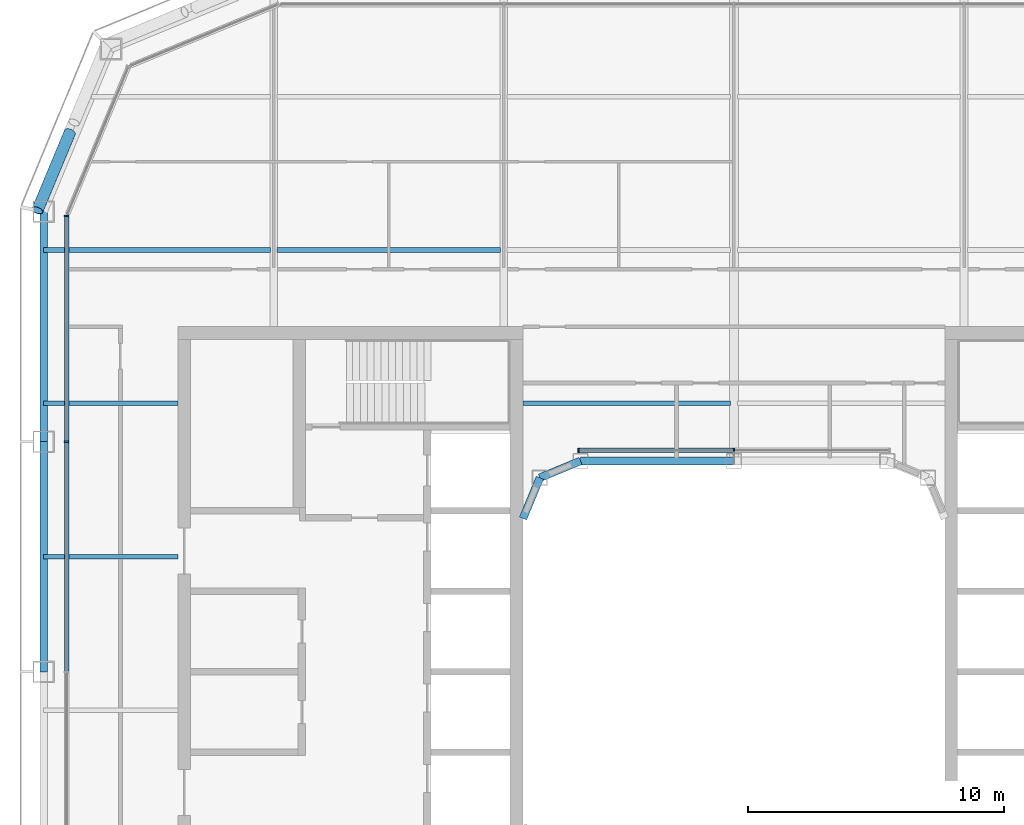
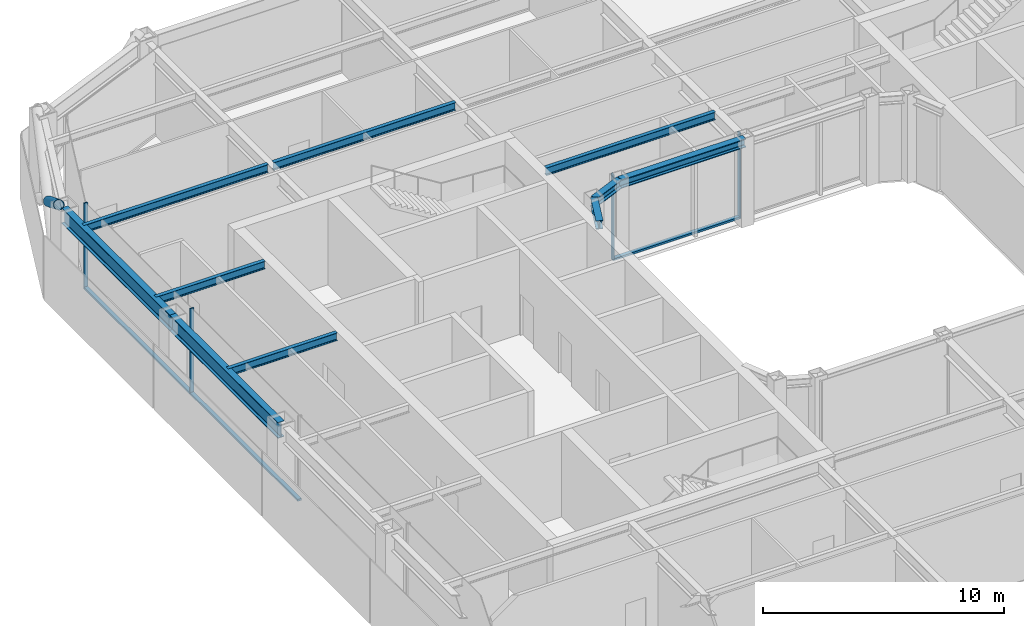
# One storey, part 6 of 23: 10 beams, 8 members, 2 elements without a shape of their own.
"""IFC4 building model written with IfcOpenShell, lengths in metres."""

from ifc_helpers import new_model, si_unit, direction, frame, origin, origin_2d, place, context, subcontext, project, spatial, rectangle, hollow_circle, i_section, extrude, material, layer, layer_set, material_profile, profile_set, type_object, element, aggregate, save


model = new_model("IFC4")

# Units and contexts
model_context = context("Model", 3, precision=1e-05, world=origin(), true_north=direction((0.0, 1.0)))
body_context = subcontext(model_context, "Body", "Model", "MODEL_VIEW")
ifc_project = project(units=[si_unit("LENGTHUNIT", "METRE"), si_unit("AREAUNIT", "SQUARE_METRE"), si_unit("VOLUMEUNIT", "CUBIC_METRE"), si_unit("PLANEANGLEUNIT", "RADIAN"), si_unit("MASSUNIT", "GRAM", prefix="KILO")], contexts=[model_context])

# Site, building, storey
site_placement = place(None, origin())
site = spatial("IfcSite", under=ifc_project, at=site_placement, CompositionType="ELEMENT")
building_placement = place(site_placement, origin())
building = spatial("IfcBuilding", under=site, at=building_placement, Name="Siwar Civic Tower", CompositionType="ELEMENT")
storey_placement = place(building_placement, frame((0.0, 0.0, 224.199951171875)))
storey = spatial("IfcBuildingStorey", under=building, at=storey_placement, Name="L48", CompositionType="ELEMENT", Elevation=224.199951171875)

# Curtain wall, members
ifc_material_1 = material(Name="Aluminium and glass", Category="aluminium")
ifc_layer_1 = layer(ifc_material_1, 0.179931640625)
ifc_layer_set_1 = layer_set([ifc_layer_1], Name="Aluminium and glass")
curtain_wall_type_1 = type_object("IfcCurtainWallType", Name="ENV-CW-C", PredefinedType="NOTDEFINED", material=ifc_layer_set_1)
curtain_wall_1_placement = place(storey_placement, origin())
curtain_wall_1 = element("IfcCurtainWall", 1, at=curtain_wall_1_placement, inside=storey, type_object=curtain_wall_type_1, Name="Curtain wall C W", PredefinedType="NOTDEFINED")
ifc_material_2 = material(Name="Aluminium 6063-T6", Category="aluminium")
ifc_material_profile_1 = material_profile(ifc_material_2, rectangle(XDim=0.179931640625, YDim=0.06005859375, at=origin_2d()), Name="AL 180x60")
ifc_profile_set_1 = profile_set([ifc_material_profile_1], Name="Aluminium 6063-T6")
member_type_1 = type_object("IfcMemberType", Name="ENV-MULLION-C", PredefinedType="MULLION", material=ifc_profile_set_1)
member_1_placement = place(storey_placement, frame((-26.10009765625, 17.821044921875, 0.0), z_axis=(0.0, 0.0, 1.0), x_axis=(1.0, 0.0, 0.0)))
member_1 = element("IfcMember", 2, at=member_1_placement, type_object=member_type_1, Name="Mullion C W 1", PredefinedType="MULLION", context=body_context, shape_type="SweptSolid", body=[
    extrude(rectangle(XDim=0.179931640625, YDim=0.06005859375, at=origin_2d()), origin(), (0.0, 0.0, 1.0), 4.35009765625),
])
member_2_placement = place(storey_placement, frame((-26.10009765625, 9.0, 0.0), z_axis=(0.0, 0.0, 1.0), x_axis=(1.0, 0.0, 0.0)))
member_2 = element("IfcMember", 3, at=member_2_placement, type_object=member_type_1, Name="Mullion C W 2", PredefinedType="MULLION", context=body_context, shape_type="SweptSolid", body=[
    extrude(rectangle(XDim=0.179931640625, YDim=0.06005859375, at=origin_2d()), origin(), (0.0, 0.0, 1.0), 4.35009765625),
])

ifc_material_3 = material(Name="Aluminium and glass", Category="aluminium")
ifc_layer_2 = layer(ifc_material_3, 0.179931640625)
ifc_layer_set_2 = layer_set([ifc_layer_2], Name="Aluminium and glass")
curtain_wall_type_2 = type_object("IfcCurtainWallType", Name="ENV-CW-W", PredefinedType="NOTDEFINED", material=ifc_layer_set_2)
curtain_wall_2_placement = place(storey_placement, origin())
curtain_wall_2 = element("IfcCurtainWall", 4, at=curtain_wall_2_placement, inside=storey, type_object=curtain_wall_type_2, Name="Curtain wall W WN", PredefinedType="NOTDEFINED")
ifc_material_4 = material(Name="Aluminium 6063-T6", Category="aluminium")
ifc_material_profile_2 = material_profile(ifc_material_4, rectangle(XDim=0.179931640625, YDim=0.06005859375, at=origin_2d()), Name="AL 180x60")
ifc_profile_set_2 = profile_set([ifc_material_profile_2], Name="Aluminium 6063-T6")
member_type_2 = type_object("IfcMemberType", Name="ENV-MULLION-W", PredefinedType="MULLION", material=ifc_profile_set_2)
member_3_placement = place(storey_placement, frame((0.0, 8.659912109375, 0.0), z_axis=(0.0, 0.0, 1.0), x_axis=(0.0, -1.0, 0.0)))
member_3 = element("IfcMember", 5, at=member_3_placement, type_object=member_type_2, Name="Mullion W WN 2", PredefinedType="MULLION", context=body_context, shape_type="SweptSolid", body=[
    extrude(rectangle(XDim=0.179931640625, YDim=0.06005859375, at=origin_2d()), origin(), (0.0, 0.0, 1.0), 4.35009765625),
])
member_4_placement = place(storey_placement, frame((-6.08154296875, 8.659912109375, 0.0), z_axis=(0.0, 0.0, 1.0), x_axis=(0.0, -1.0, 0.0)))
member_4 = element("IfcMember", 6, at=member_4_placement, type_object=member_type_2, Name="Mullion W WN 3", PredefinedType="MULLION", context=body_context, shape_type="SweptSolid", body=[
    extrude(rectangle(XDim=0.179931640625, YDim=0.06005859375, at=origin_2d()), origin(), (0.0, 0.0, 1.0), 4.35009765625),
])

# Member
ifc_material_5 = material(Name="Aluminium 6063-T6", Category="aluminium")
ifc_material_profile_3 = material_profile(ifc_material_5, rectangle(XDim=0.179931640625, YDim=0.10009765625, at=origin_2d()), Name="AL 180x100")
ifc_profile_set_3 = profile_set([ifc_material_profile_3], Name="Aluminium 6063-T6")
member_type_3 = type_object("IfcMemberType", Name="ENV-TRANSOM-C", PredefinedType="USERDEFINED", material=ifc_profile_set_3)
member_5_placement = place(storey_placement, frame((-26.10009765625, 17.791015625, 0.050048828125), z_axis=(0.0, -1.0, 0.0), x_axis=(1.0, 0.0, 0.0)))
member_5 = element("IfcMember", 7, at=member_5_placement, type_object=member_type_3, Name="Transom C W 1", ObjectType="TRANSOM", PredefinedType="USERDEFINED", context=body_context, shape_type="SweptSolid", body=[
    extrude(rectangle(XDim=0.179931640625, YDim=0.10009765625, at=origin_2d()), origin(), (0.0, 0.0, 1.0), 8.760986328125),
])

member_6_placement = place(storey_placement, frame((-26.10009765625, 8.969970703125, 0.050048828125), z_axis=(0.0, -1.0, 0.0), x_axis=(1.0, 0.0, 0.0)))
member_6 = element("IfcMember", 8, at=member_6_placement, type_object=member_type_3, Name="Transom C W 2", ObjectType="TRANSOM", PredefinedType="USERDEFINED", context=body_context, shape_type="SweptSolid", body=[
    extrude(rectangle(XDim=0.179931640625, YDim=0.10009765625, at=origin_2d()), origin(), (0.0, 0.0, 1.0), 8.93994140625),
])

aggregate(curtain_wall_1, [member_1, member_2, member_5, member_6])

ifc_material_6 = material(Name="Aluminium 6063-T6", Category="aluminium")
ifc_material_profile_4 = material_profile(ifc_material_6, rectangle(XDim=0.179931640625, YDim=0.10009765625, at=origin_2d()), Name="AL 180x100")
ifc_profile_set_4 = profile_set([ifc_material_profile_4], Name="Aluminium 6063-T6")
member_type_4 = type_object("IfcMemberType", Name="ENV-TRANSOM-W", PredefinedType="USERDEFINED", material=ifc_profile_set_4)
member_7_placement = place(storey_placement, frame((-0.030029296875, 8.659912109375, 0.050048828125), z_axis=(-1.0, 0.0, 0.0), x_axis=(0.0, -1.0, 0.0)))
member_7 = element("IfcMember", 9, at=member_7_placement, type_object=member_type_4, Name="Transom W WN 2", ObjectType="TRANSOM", PredefinedType="USERDEFINED", context=body_context, shape_type="SweptSolid", body=[
    extrude(rectangle(XDim=0.179931640625, YDim=0.10009765625, at=origin_2d()), origin(), (0.0, 0.0, 1.0), 6.021484375),
])

aggregate(curtain_wall_2, [member_3, member_4, member_7])

ifc_material_7 = material(Name="Steel S355", Category="steel")
ifc_material_profile_5 = material_profile(ifc_material_7, hollow_circle(Radius=0.228515625, WallThickness=0.02001953125, at=origin_2d()), Name="CHS457x20")
ifc_profile_set_5 = profile_set([ifc_material_profile_5], Name="Steel S355")
member_type_5 = type_object("IfcMemberType", Name="STR-BR-CHS457x20", PredefinedType="BRACE", material=ifc_profile_set_5)
member_8_placement = place(storey_placement, frame((-25.972900390625, 21.10302734375, 2.383056640625), z_axis=(-0.323895306243, -0.777572496853, 0.538955325357), x_axis=(0.92311621485, -0.38452107079, 0.0)))
element("IfcMember", 10, at=member_8_placement, inside=storey, type_object=member_type_5, Name="L48/brc/CNW1-8-0-3", PredefinedType="BRACE", context=body_context, shape_type="SweptSolid", body=[
    extrude(hollow_circle(Radius=0.228515625, WallThickness=0.02001953125, at=origin_2d()), origin(), (0.0, 0.0, 1.0), 3.927978515625),
])

# Beams
ifc_material_8 = material(Name="Steel S355", Category="steel")
ifc_material_profile_6 = material_profile(ifc_material_8, i_section(OverallWidth=0.179931640625, OverallDepth=0.39990234375, WebThickness=0.008544921875, FlangeThickness=0.013427734375, FilletRadius=0.02099609375, at=origin_2d()), Name="IPE400")
ifc_profile_set_6 = profile_set([ifc_material_profile_6], Name="Steel S355")
beam_type_1 = type_object("IfcBeamType", Name="STR-FB-IPE400", PredefinedType="JOIST", material=ifc_profile_set_6)
for number, where, z_axis, x_axis, name in (
    (11, (-27.0, 4.5, 4.150146484375), (1.0, 0.0, 0.0), (0.0, 1.0, 0.0), "L48/bm/F025"),
    (12, (-27.0, 10.5, 4.150146484375), (1.0, 0.0, 0.0), (0.0, 1.0, 0.0), "L48/bm/F027"),
):
    element("IfcBeam", number, at=place(storey_placement, frame(where, z_axis=z_axis, x_axis=x_axis)), inside=storey, type_object=beam_type_1, Name=name, PredefinedType="JOIST", context=body_context, shape_type="SweptSolid", body=[
        extrude(i_section(OverallWidth=0.179931640625, OverallDepth=0.39990234375, WebThickness=0.008544921875, FlangeThickness=0.013427734375, FilletRadius=0.02099609375, at=origin_2d()), origin(), (0.0, 0.0, 1.0), 5.25),
    ])
beam_1_placement = place(storey_placement, frame((-8.25, 10.5, 4.150146484375), z_axis=(1.0, 0.0, 0.0), x_axis=(0.0, 1.0, 0.0)))
element("IfcBeam", 13, at=beam_1_placement, inside=storey, type_object=beam_type_1, Name="L48/bm/F028", PredefinedType="JOIST", context=body_context, shape_type="SweptSolid", body=[
    extrude(i_section(OverallWidth=0.179931640625, OverallDepth=0.39990234375, WebThickness=0.008544921875, FlangeThickness=0.013427734375, FilletRadius=0.02099609375, at=origin_2d()), origin(), (0.0, 0.0, 1.0), 8.1201171875),
])
beam_2_placement = place(storey_placement, frame((-27.0, 16.5, 4.150146484375), z_axis=(1.0, 0.0, 0.0), x_axis=(0.0, 1.0, 0.0)))
element("IfcBeam", 14, at=beam_2_placement, inside=storey, type_object=beam_type_1, Name="L48/bm/F031", PredefinedType="JOIST", context=body_context, shape_type="SweptSolid", body=[
    extrude(i_section(OverallWidth=0.179931640625, OverallDepth=0.39990234375, WebThickness=0.008544921875, FlangeThickness=0.013427734375, FilletRadius=0.02099609375, at=origin_2d()), origin(), (0.0, 0.0, 1.0), 8.8701171875),
])
beam_3_placement = place(storey_placement, frame((-17.8701171875, 16.5, 4.150146484375), z_axis=(1.0, 0.0, 0.0), x_axis=(0.0, 1.0, 0.0)))
element("IfcBeam", 15, at=beam_3_placement, inside=storey, type_object=beam_type_1, Name="L48/bm/F032", PredefinedType="JOIST", context=body_context, shape_type="SweptSolid", body=[
    extrude(i_section(OverallWidth=0.179931640625, OverallDepth=0.39990234375, WebThickness=0.008544921875, FlangeThickness=0.013427734375, FilletRadius=0.02099609375, at=origin_2d()), origin(), (0.0, 0.0, 1.0), 8.740234375),
])
ifc_material_9 = material(Name="Steel S355", Category="steel")
ifc_material_profile_7 = material_profile(ifc_material_9, i_section(OverallWidth=0.306884765625, OverallDepth=0.431884765625, WebThickness=0.02099609375, FlangeThickness=0.0400390625, FilletRadius=0.027099609375, at=origin_2d()), Name="HEM400")
ifc_profile_set_7 = profile_set([ifc_material_profile_7], Name="Steel S355")
beam_type_2 = type_object("IfcBeamType", Name="STR-RB-HEM400", PredefinedType="BEAM", material=ifc_profile_set_7)
beam_4_placement = place(storey_placement, frame((-7.591064453125, 7.591064453125, 4.134033203125), z_axis=(0.923901072997, 0.382631424892, 0.0), x_axis=(-0.382631424892, 0.923901072997, 0.0)))
element("IfcBeam", 16, at=beam_4_placement, inside=storey, type_object=beam_type_2, Name="L48/bm/RN0", PredefinedType="BEAM", context=body_context, shape_type="SweptSolid", body=[
    extrude(i_section(OverallWidth=0.306884765625, OverallDepth=0.431884765625, WebThickness=0.02099609375, FlangeThickness=0.0400390625, FilletRadius=0.027099609375, at=origin_2d()), origin(), (0.0, 0.0, 1.0), 1.72216796875),
])
beam_5_placement = place(storey_placement, frame((-6.0, 8.25, 4.134033203125), z_axis=(1.0, 0.0, 0.0), x_axis=(0.0, 1.0, 0.0)))
element("IfcBeam", 17, at=beam_5_placement, inside=storey, type_object=beam_type_2, Name="L48/bm/RN1", PredefinedType="BEAM", context=body_context, shape_type="SweptSolid", body=[
    extrude(i_section(OverallWidth=0.306884765625, OverallDepth=0.431884765625, WebThickness=0.02099609375, FlangeThickness=0.0400390625, FilletRadius=0.027099609375, at=origin_2d()), origin(), (0.0, 0.0, 1.0), 6.0),
])
beam_6_placement = place(storey_placement, frame((-7.591064453125, 7.591064453125, 4.134033203125), z_axis=(-0.382631424892, -0.923901072997, 0.0), x_axis=(0.923901072997, -0.382631424892, 0.0)))
element("IfcBeam", 18, at=beam_6_placement, inside=storey, type_object=beam_type_2, Name="L48/bm/RNEW", PredefinedType="BEAM", context=body_context, shape_type="SweptSolid", body=[
    extrude(i_section(OverallWidth=0.306884765625, OverallDepth=0.431884765625, WebThickness=0.02099609375, FlangeThickness=0.0400390625, FilletRadius=0.027099609375, at=origin_2d()), origin(), (0.0, 0.0, 1.0), 1.72216796875),
])
ifc_material_10 = material(Name="Steel S355", Category="steel")
ifc_material_profile_8 = material_profile(ifc_material_10, i_section(OverallWidth=0.300048828125, OverallDepth=0.800048828125, WebThickness=0.017578125, FlangeThickness=0.032958984375, FilletRadius=0.030029296875, at=origin_2d()), Name="HEB800")
ifc_profile_set_8 = profile_set([ifc_material_profile_8], Name="Steel S355")
beam_type_3 = type_object("IfcBeamType", Name="STR-SB-HEB800", PredefinedType="BEAM", material=ifc_profile_set_8)
for number, where, z_axis, x_axis, name in (
    (19, (-27.0, 18.0, 3.949951171875), (0.0, -1.0, 0.0), (1.0, 0.0, 0.0), "L48/bm/SW-0"),
    (20, (-27.0, 9.0, 3.949951171875), (0.0, -1.0, 0.0), (1.0, 0.0, 0.0), "L48/bm/SW-1"),
):
    element("IfcBeam", number, at=place(storey_placement, frame(where, z_axis=z_axis, x_axis=x_axis)), inside=storey, type_object=beam_type_3, Name=name, PredefinedType="BEAM", context=body_context, shape_type="SweptSolid", body=[
        extrude(i_section(OverallWidth=0.300048828125, OverallDepth=0.800048828125, WebThickness=0.017578125, FlangeThickness=0.032958984375, FilletRadius=0.030029296875, at=origin_2d()), origin(), (0.0, 0.0, 1.0), 9.0),
    ])

save(model, "model.ifc")
